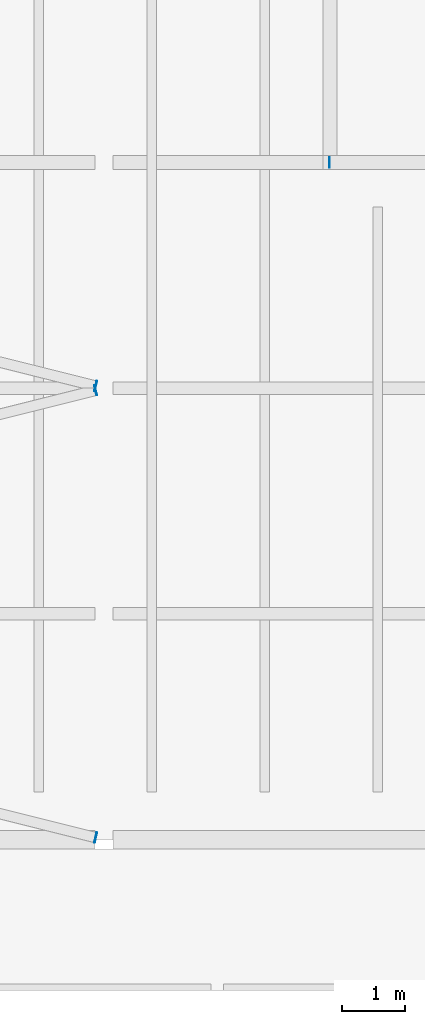
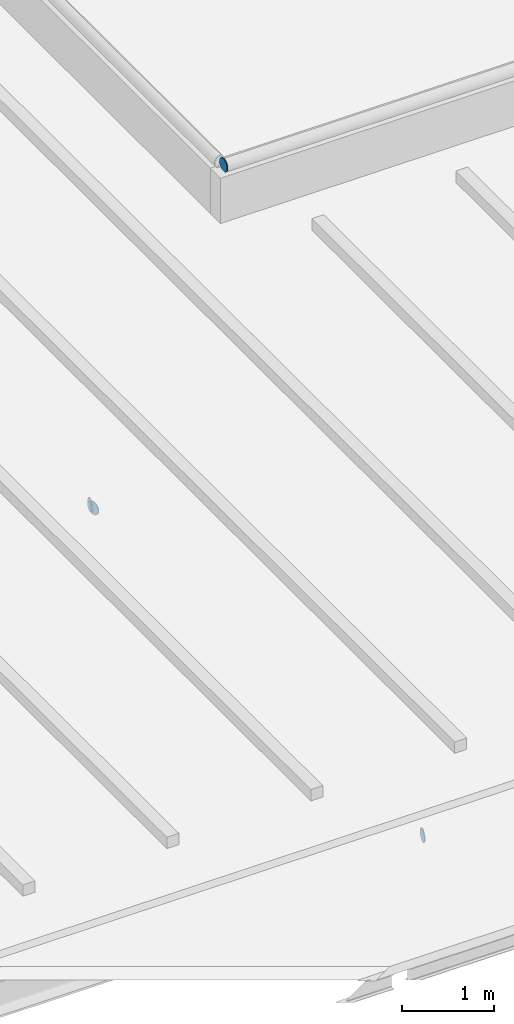
# One storey, part 70 of 120: 4 discrete accessories.
"""IFC4 building model written with IfcOpenShell, lengths in metres."""

import ifcopenshell
import ifcopenshell.guid

model = None  # the IFC model being written
_history = None  # IfcOwnerHistory: only IFC2X3 demands one
_inside = {}  # id of a spatial element -> (the spatial element, [elements in it])
_under = {}  # id of a project, library or spatial element -> (it, [spatial elements below it])
_declared = {}  # id of a project -> (the project, [libraries it declares])
_typed = {}  # id of a type object -> (the type object, [elements of that type])
_made_of = {}  # id of a material, layer set ... -> (it, [elements and type objects made of it])


def new_model(schema):
    """Start an empty IFC model of exactly this schema.

    Asked for "IFC4X3", IfcOpenShell would pick the latest addendum, in which some entities
    have other attributes; the version numbers below select the first issue.
    IFC2X3 requires an IfcOwnerHistory on every rooted entity: one is made here for all.
    """
    global model, _history
    if schema == "IFC4X3":
        model = ifcopenshell.file(schema_version=(4, 3, 0, 0))
    else:
        model = ifcopenshell.file(schema=schema)
    _inside.clear()
    _under.clear()
    _declared.clear()
    _typed.clear()
    _made_of.clear()
    _history = None
    if model.schema == "IFC2X3":
        org = make("IfcOrganization", Name="unknown")
        user = make(
            "IfcPersonAndOrganization",
            ThePerson=make("IfcPerson", FamilyName="unknown"),
            TheOrganization=org,
        )
        app = make(
            "IfcApplication",
            ApplicationDeveloper=org,
            Version="unknown",
            ApplicationFullName="unknown",
            ApplicationIdentifier="unknown",
        )
        _history = make(
            "IfcOwnerHistory",
            OwningUser=user,
            OwningApplication=app,
            ChangeAction="ADDED",
            CreationDate=0,
        )
    return model


def make(cls, **values):
    """One entity of the class cls with the attributes given. An attribute that is None is left unset."""
    return model.create_entity(
        cls, **{name: value for name, value in values.items() if value is not None}
    )


def rooted(cls, **values):
    """An entity with a GlobalId (a new one), such as an element, a storey or a relation."""
    return make(cls, GlobalId=ifcopenshell.guid.new(), OwnerHistory=_history, **values)


def si_unit(unit_type, name, prefix=None):
    """IfcSIUnit, for example si_unit("LENGTHUNIT", "METRE", prefix="MILLI")."""
    return make("IfcSIUnit", UnitType=unit_type, Prefix=prefix, Name=name)


def assignment(units):
    """IfcUnitAssignment: the units of a project."""
    return None if units is None else make("IfcUnitAssignment", Units=units)


def point(xyz):
    """IfcCartesianPoint."""
    return None if xyz is None else make("IfcCartesianPoint", Coordinates=xyz)


def direction(xyz):
    """IfcDirection."""
    return None if xyz is None else make("IfcDirection", DirectionRatios=xyz)


def frame(location, z_axis=None, x_axis=None):
    """IfcAxis2Placement3D, a coordinate frame: its origin and axes. An axis left out is left unset."""
    return make(
        "IfcAxis2Placement3D",
        Location=point(location),
        Axis=direction(z_axis),
        RefDirection=direction(x_axis),
    )


def frame_2d(location, x_axis=None):
    """IfcAxis2Placement2D, a coordinate frame in the plane: its origin and x axis."""
    return make(
        "IfcAxis2Placement2D", Location=point(location), RefDirection=direction(x_axis)
    )


def origin():
    """The frame at (0, 0, 0) with its axes left unset."""
    return frame((0.0, 0.0, 0.0))


def origin_2d():
    """The frame at (0, 0) in the plane with its x axis left unset."""
    return frame_2d((0.0, 0.0))


def place(relative_to, where):
    """IfcLocalPlacement: puts the frame where relative to a parent placement (None: the world)."""
    return make(
        "IfcLocalPlacement", PlacementRelTo=relative_to, RelativePlacement=where
    )


def context(
    kind, dimensions, precision=None, world=None, true_north=None, identifier=None
):
    """IfcGeometricRepresentationContext, for example the 3D "Model" context."""
    return make(
        "IfcGeometricRepresentationContext",
        ContextIdentifier=identifier,
        ContextType=kind,
        CoordinateSpaceDimension=dimensions,
        Precision=precision,
        WorldCoordinateSystem=world,
        TrueNorth=true_north,
    )


def subcontext(parent, identifier, kind, view, scale=None):
    """IfcGeometricRepresentationSubContext, for example "Body" below "Model"."""
    return make(
        "IfcGeometricRepresentationSubContext",
        ContextIdentifier=identifier,
        ContextType=kind,
        ParentContext=parent,
        TargetScale=scale,
        TargetView=view,
    )


def project(units=None, contexts=None):
    """IfcProject with its units and contexts."""
    return rooted(
        "IfcProject",
        Name="project",
        RepresentationContexts=contexts,
        UnitsInContext=assignment(units),
    )


def spatial(cls, under=None, at=None, **own):
    """A site, building, storey or space (cls), placed at a placement, below another one or the project."""
    s = rooted(cls, ObjectPlacement=at, **own)
    if under is not None:
        _under.setdefault(under.id(), (under, []))[1].append(s)
    return s


def profile(cls, at=None, kind="AREA", **sizes):
    """A parametric profile (cls). Its sizes go by their IFC names, for example OverallWidth=200.0."""
    return make(cls, ProfileType=kind, Position=at, **sizes)


def circle(**sizes):
    """IfcCircleProfileDef."""
    return profile("IfcCircleProfileDef", **sizes)


def extrude(swept, where, along, depth):
    """IfcExtrudedAreaSolid: the profile swept, set in the frame where, extruded along a direction by depth."""
    return make(
        "IfcExtrudedAreaSolid",
        SweptArea=swept,
        Position=where,
        ExtrudedDirection=direction(along),
        Depth=depth,
    )


def shape(context_of_items, identifier, shape_type, items):
    """IfcShapeRepresentation: the items that make up one representation, for example the "Body"."""
    return make(
        "IfcShapeRepresentation",
        ContextOfItems=context_of_items,
        RepresentationIdentifier=identifier,
        RepresentationType=shape_type,
        Items=items,
    )


def material(Name=None, Category=None):
    """IfcMaterial."""
    return make("IfcMaterial", Name=Name, Category=Category)


def layer(
    of_material, thickness, ventilated=None, Name=None, Category=None, Priority=None
):
    """IfcMaterialLayer: one layer of a wall or slab, of a material (None: an air gap)."""
    return make(
        "IfcMaterialLayer",
        Material=of_material,
        LayerThickness=thickness,
        IsVentilated=ventilated,
        Name=Name,
        Category=Category,
        Priority=Priority,
    )


def layer_set(layers, Name=None):
    """IfcMaterialLayerSet."""
    return make("IfcMaterialLayerSet", MaterialLayers=layers, LayerSetName=Name)


def made_of(thing, what):
    """Note that an element or type object is made of a material, layer set ...; save() writes the relation."""
    if what is not None:
        _made_of.setdefault(what.id(), (what, []))[1].append(thing)
    return thing


def type_object(cls, material=None, **own):
    """A type object (cls), such as IfcWallType, which elements share."""
    return made_of(rooted(cls, **own), material)


def element(
    cls,
    number,
    at=None,
    inside=None,
    cuts=None,
    type_object=None,
    material=None,
    context=None,
    identifier="Body",
    shape_type=None,
    held_by="IfcProductDefinitionShape",
    body=None,
    shapes=None,
    **own,
):
    """One element of the class cls, such as IfcWall. Its Tag is "e" and its number.

    at: its placement. inside: the storey or other place that contains it. cuts: it is an
    opening in that element (IfcRelVoidsElement). A single representation is given by context,
    identifier, shape_type and body (its items); several are given by shapes. held_by: the class
    of the entity that holds the representations. save() writes the other relations.
    """
    e = rooted(cls, Tag="e%d" % number, ObjectPlacement=at, **own)
    if body is not None:
        shapes = [shape(context, identifier, shape_type, body)]
    if shapes is not None:
        e.Representation = make(held_by, Representations=shapes)
    if inside is not None:
        _inside.setdefault(inside.id(), (inside, []))[1].append(e)
    if cuts is not None:
        rooted(
            "IfcRelVoidsElement", RelatingBuildingElement=cuts, RelatedOpeningElement=e
        )
    if type_object is not None:
        _typed.setdefault(type_object.id(), (type_object, []))[1].append(e)
    return made_of(e, material)


def aggregate(whole, parts):
    """IfcRelAggregates: a whole, such as a stair, and the parts it consists of."""
    return rooted("IfcRelAggregates", RelatingObject=whole, RelatedObjects=parts)


def save(model, path):
    """Write the relations noted so far, then the file.

    IfcRelAggregates (storeys below a building ...), IfcRelContainedInSpatialStructure (elements
    in a storey), IfcRelDefinesByType, IfcRelAssociatesMaterial and IfcRelDeclares: one each for
    every whole, place, type object, material and project.
    """
    for whole, parts in _under.values():
        aggregate(whole, parts)
    for where, things in _inside.values():
        rooted(
            "IfcRelContainedInSpatialStructure",
            RelatedElements=things,
            RelatingStructure=where,
        )
    for kind, things in _typed.values():
        rooted("IfcRelDefinesByType", RelatedObjects=things, RelatingType=kind)
    for what, things in _made_of.values():
        rooted("IfcRelAssociatesMaterial", RelatedObjects=things, RelatingMaterial=what)
    for by, libraries in _declared.values():
        rooted("IfcRelDeclares", RelatingContext=by, RelatedDefinitions=libraries)
    model.write(path)


model = new_model("IFC4")

# Units and contexts
model_context = context("Model", 3, precision=1e-05, world=origin(), true_north=direction((0.0, 1.0)))
body_context = subcontext(model_context, "Body", "Model", "MODEL_VIEW")
ifc_project = project(units=[si_unit("LENGTHUNIT", "METRE"), si_unit("AREAUNIT", "SQUARE_METRE"), si_unit("VOLUMEUNIT", "CUBIC_METRE"), si_unit("PLANEANGLEUNIT", "RADIAN"), si_unit("MASSUNIT", "GRAM", prefix="KILO")], contexts=[model_context])

# Site, building, storey
site_placement = place(None, origin())
site = spatial("IfcSite", under=ifc_project, at=site_placement, CompositionType="ELEMENT")
building_placement = place(site_placement, origin())
building = spatial("IfcBuilding", under=site, at=building_placement, Name="Kupolbacken Congress Centre", CompositionType="ELEMENT")
storey_placement = place(building_placement, frame((0.0, 0.0, 21.60009765625)))
storey = spatial("IfcBuildingStorey", under=building, at=storey_placement, Name="L06", CompositionType="ELEMENT", Elevation=21.60009765625)

# Discrete accessories
ifc_material = material(Name="Steel S355", Category="steel")
ifc_layer = layer(ifc_material, 0.011962890625)
ifc_layer_set = layer_set([ifc_layer], Name="Steel S355")
discrete_accessory_type = type_object("IfcDiscreteAccessoryType", Name="EC2 tube end cap plate 168 dia x 12", PredefinedType="BRACKET", material=ifc_layer_set)
for number, where, z_axis, x_axis, name in (
    (1, (107.859375, 43.235107421875, -0.084228515625), (0.974732318528, -0.223376156329, 0.0), (0.223376156329, 0.974732318528, 0.0), "End cap plate HR/RB/01-00 A"),
    (2, (107.859375, 50.36474609375, -0.084228515625), (0.970142500145, 0.242535625036, 0.0), (-0.242535625036, 0.970142500145, 0.0), "End cap plate HR/RB/01-01 B"),
    (3, (107.859375, 50.435302734375, -0.084228515625), (0.970142500145, -0.242535625036, 0.0), (0.242535625036, 0.970142500145, 0.0), "End cap plate HR/RB/01-02 A"),
):
    element("IfcDiscreteAccessory", number, at=place(storey_placement, frame(where, z_axis=z_axis, x_axis=x_axis)), inside=storey, type_object=discrete_accessory_type, Name=name, PredefinedType="BRACKET", context=body_context, shape_type="SweptSolid", body=[
        extrude(circle(Radius=0.084228515625, at=origin_2d()), origin(), (0.0, 0.0, 1.0), 0.011962890625),
    ])
discrete_accessory_placement = place(storey_placement, frame((111.60009765625, 54.0, 0.944091796875), z_axis=(-1.0, 0.0, 0.0), x_axis=(0.0, -1.0, 0.0)))
element("IfcDiscreteAccessory", 4, at=discrete_accessory_placement, inside=storey, type_object=discrete_accessory_type, Name="End cap plate RD/RL1/FS A", PredefinedType="BRACKET", context=body_context, shape_type="SweptSolid", body=[
    extrude(circle(Radius=0.084228515625, at=origin_2d()), origin(), (0.0, 0.0, 1.0), 0.01220703125),
])

save(model, "model.ifc")
